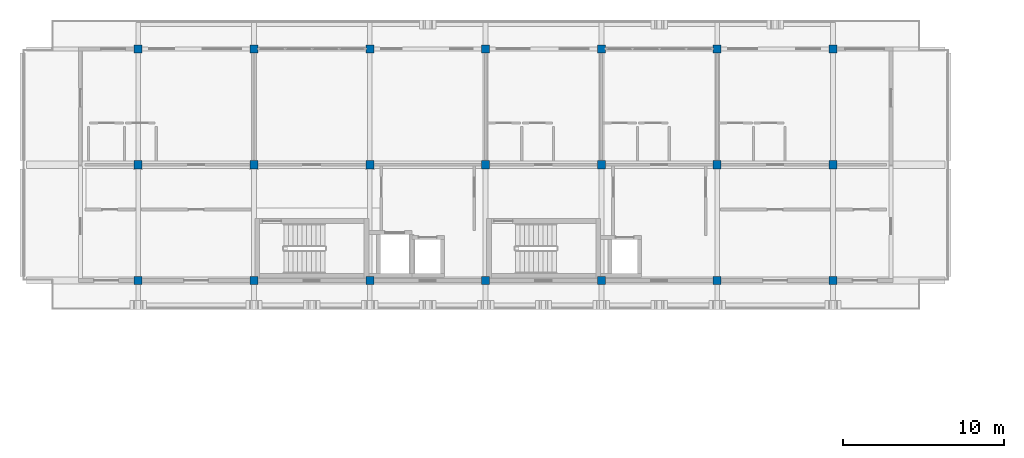
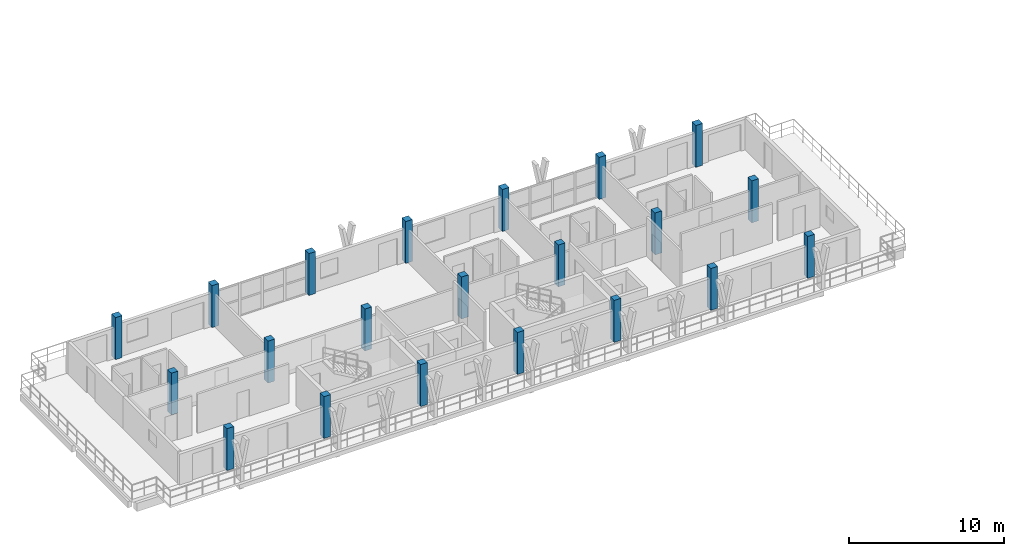
# One storey, part 1 of 19: 21 columns.
"""IFC4 building model written with IfcOpenShell, lengths in metres."""

from ifc_helpers import new_model, si_unit, direction, frame, origin, origin_2d, place, context, subcontext, project, spatial, rectangle, extrude, material, material_profile, profile_set, type_object, element, save


model = new_model("IFC4")

# Units and contexts
model_context = context("Model", 3, precision=1e-05, world=origin(), true_north=direction((0.0, 1.0)))
body_context = subcontext(model_context, "Body", "Model", "MODEL_VIEW")
ifc_project = project(units=[si_unit("LENGTHUNIT", "METRE"), si_unit("AREAUNIT", "SQUARE_METRE"), si_unit("VOLUMEUNIT", "CUBIC_METRE"), si_unit("PLANEANGLEUNIT", "RADIAN"), si_unit("MASSUNIT", "GRAM", prefix="KILO")], contexts=[model_context])

# Site, building, storey
site_placement = place(None, origin())
site = spatial("IfcSite", under=ifc_project, at=site_placement, CompositionType="ELEMENT")
building_placement = place(site_placement, origin())
building = spatial("IfcBuilding", under=site, at=building_placement, Name="Suanplinth Sawtooth Commons", CompositionType="ELEMENT")
storey_placement = place(building_placement, frame((0.0, 0.0, 44.39990234375)))
storey = spatial("IfcBuildingStorey", under=building, at=storey_placement, Name="L13", CompositionType="ELEMENT", Elevation=44.39990234375)

# Columns
ifc_material = material(Name="Precast concrete C40/50", Category="concrete")
ifc_material_profile = material_profile(ifc_material, rectangle(XDim=0.5, YDim=0.5, at=origin_2d()), Name="PC-COL 500x500")
ifc_profile_set = profile_set([ifc_material_profile], Name="Precast concrete C40/50")
column_type = type_object("IfcColumnType", Name="C-06", PredefinedType="COLUMN", material=ifc_profile_set)
for number, where, z_axis, x_axis, name in (
    (1, (36.0, 108.0, 0.0), (0.0, 0.0, 1.0), (1.0, 0.0, 0.0), "Column L13 6/R"),
    (2, (36.0, 115.199951171875, 0.0), (0.0, 0.0, 1.0), (1.0, 0.0, 0.0), "Column L13 6/S"),
    (3, (36.0, 122.39990234375, 0.0), (0.0, 0.0, 1.0), (1.0, 0.0, 0.0), "Column L13 6/T"),
    (4, (43.199951171875, 108.0, 0.0), (0.0, 0.0, 1.0), (1.0, 0.0, 0.0), "Column L13 7/R"),
    (5, (43.199951171875, 115.199951171875, 0.0), (0.0, 0.0, 1.0), (1.0, 0.0, 0.0), "Column L13 7/S"),
    (6, (43.199951171875, 122.39990234375, 0.0), (0.0, 0.0, 1.0), (1.0, 0.0, 0.0), "Column L13 7/T"),
    (7, (50.39990234375, 108.0, 0.0), (0.0, 0.0, 1.0), (1.0, 0.0, 0.0), "Column L13 8/R"),
    (8, (50.39990234375, 115.199951171875, 0.0), (0.0, 0.0, 1.0), (1.0, 0.0, 0.0), "Column L13 8/S"),
    (9, (50.39990234375, 122.39990234375, 0.0), (0.0, 0.0, 1.0), (1.0, 0.0, 0.0), "Column L13 8/T"),
    (10, (57.60009765625, 108.0, 0.0), (0.0, 0.0, 1.0), (1.0, 0.0, 0.0), "Column L13 9/R"),
    (11, (57.60009765625, 115.199951171875, 0.0), (0.0, 0.0, 1.0), (1.0, 0.0, 0.0), "Column L13 9/S"),
    (12, (57.60009765625, 122.39990234375, 0.0), (0.0, 0.0, 1.0), (1.0, 0.0, 0.0), "Column L13 9/T"),
    (13, (64.800048828125, 108.0, 0.0), (0.0, 0.0, 1.0), (1.0, 0.0, 0.0), "Column L13 10/R"),
    (14, (64.800048828125, 115.199951171875, 0.0), (0.0, 0.0, 1.0), (1.0, 0.0, 0.0), "Column L13 10/S"),
    (15, (64.800048828125, 122.39990234375, 0.0), (0.0, 0.0, 1.0), (1.0, 0.0, 0.0), "Column L13 10/T"),
    (16, (72.0, 108.0, 0.0), (0.0, 0.0, 1.0), (1.0, 0.0, 0.0), "Column L13 11/R"),
    (17, (72.0, 115.199951171875, 0.0), (0.0, 0.0, 1.0), (1.0, 0.0, 0.0), "Column L13 11/S"),
    (18, (72.0, 122.39990234375, 0.0), (0.0, 0.0, 1.0), (1.0, 0.0, 0.0), "Column L13 11/T"),
    (19, (79.199951171875, 108.0, 0.0), (0.0, 0.0, 1.0), (1.0, 0.0, 0.0), "Column L13 12/R"),
    (20, (79.199951171875, 115.199951171875, 0.0), (0.0, 0.0, 1.0), (1.0, 0.0, 0.0), "Column L13 12/S"),
    (21, (79.199951171875, 122.39990234375, 0.0), (0.0, 0.0, 1.0), (1.0, 0.0, 0.0), "Column L13 12/T"),
):
    element("IfcColumn", number, at=place(storey_placement, frame(where, z_axis=z_axis, x_axis=x_axis)), inside=storey, type_object=column_type, Name=name, PredefinedType="COLUMN", context=body_context, shape_type="SweptSolid", body=[
        extrude(rectangle(XDim=0.5, YDim=0.5, at=origin_2d()), origin(), (0.0, 0.0, 1.0), 3.300048828125),
    ])

save(model, "model.ifc")
